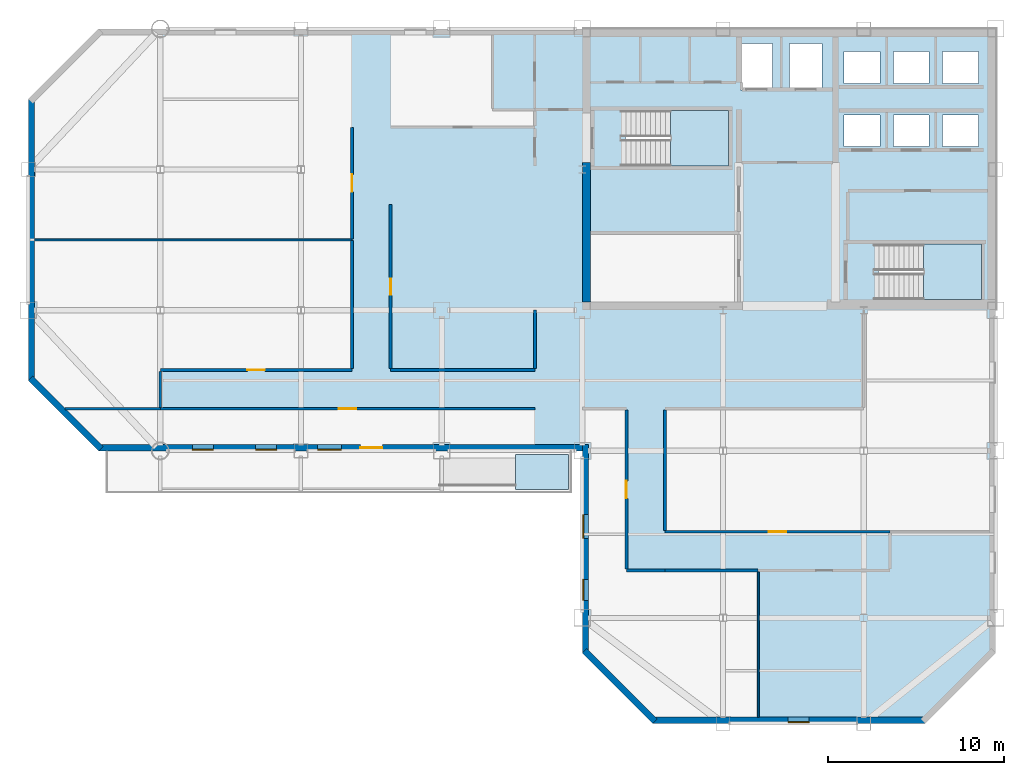
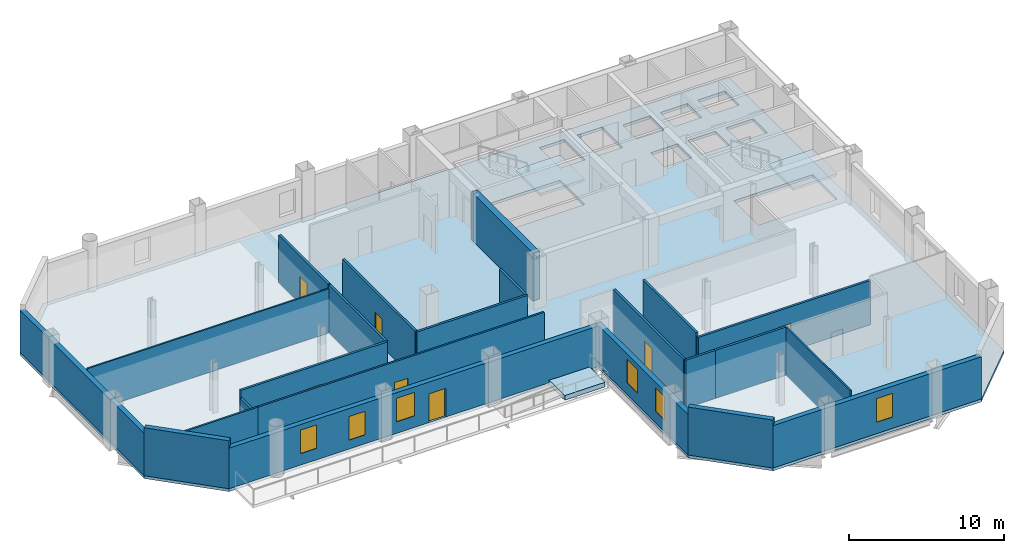
# One storey, part 4 of 10: 23 walls, 7 doors, 6 windows, 4 slabs, 13 openings, 3 elements without a shape of their own.
"""IFC4 building model written with IfcOpenShell, lengths in metres."""

import ifcopenshell
import ifcopenshell.guid

model = None  # the IFC model being written
_history = None  # IfcOwnerHistory: only IFC2X3 demands one
_inside = {}  # id of a spatial element -> (the spatial element, [elements in it])
_under = {}  # id of a project, library or spatial element -> (it, [spatial elements below it])
_declared = {}  # id of a project -> (the project, [libraries it declares])
_typed = {}  # id of a type object -> (the type object, [elements of that type])
_made_of = {}  # id of a material, layer set ... -> (it, [elements and type objects made of it])


def new_model(schema):
    """Start an empty IFC model of exactly this schema.

    Asked for "IFC4X3", IfcOpenShell would pick the latest addendum, in which some entities
    have other attributes; the version numbers below select the first issue.
    IFC2X3 requires an IfcOwnerHistory on every rooted entity: one is made here for all.
    """
    global model, _history
    if schema == "IFC4X3":
        model = ifcopenshell.file(schema_version=(4, 3, 0, 0))
    else:
        model = ifcopenshell.file(schema=schema)
    _inside.clear()
    _under.clear()
    _declared.clear()
    _typed.clear()
    _made_of.clear()
    _history = None
    if model.schema == "IFC2X3":
        org = make("IfcOrganization", Name="unknown")
        user = make(
            "IfcPersonAndOrganization",
            ThePerson=make("IfcPerson", FamilyName="unknown"),
            TheOrganization=org,
        )
        app = make(
            "IfcApplication",
            ApplicationDeveloper=org,
            Version="unknown",
            ApplicationFullName="unknown",
            ApplicationIdentifier="unknown",
        )
        _history = make(
            "IfcOwnerHistory",
            OwningUser=user,
            OwningApplication=app,
            ChangeAction="ADDED",
            CreationDate=0,
        )
    return model


def make(cls, **values):
    """One entity of the class cls with the attributes given. An attribute that is None is left unset."""
    return model.create_entity(
        cls, **{name: value for name, value in values.items() if value is not None}
    )


def rooted(cls, **values):
    """An entity with a GlobalId (a new one), such as an element, a storey or a relation."""
    return make(cls, GlobalId=ifcopenshell.guid.new(), OwnerHistory=_history, **values)


def si_unit(unit_type, name, prefix=None):
    """IfcSIUnit, for example si_unit("LENGTHUNIT", "METRE", prefix="MILLI")."""
    return make("IfcSIUnit", UnitType=unit_type, Prefix=prefix, Name=name)


def assignment(units):
    """IfcUnitAssignment: the units of a project."""
    return None if units is None else make("IfcUnitAssignment", Units=units)


def point(xyz):
    """IfcCartesianPoint."""
    return None if xyz is None else make("IfcCartesianPoint", Coordinates=xyz)


def direction(xyz):
    """IfcDirection."""
    return None if xyz is None else make("IfcDirection", DirectionRatios=xyz)


def frame(location, z_axis=None, x_axis=None):
    """IfcAxis2Placement3D, a coordinate frame: its origin and axes. An axis left out is left unset."""
    return make(
        "IfcAxis2Placement3D",
        Location=point(location),
        Axis=direction(z_axis),
        RefDirection=direction(x_axis),
    )


def frame_2d(location, x_axis=None):
    """IfcAxis2Placement2D, a coordinate frame in the plane: its origin and x axis."""
    return make(
        "IfcAxis2Placement2D", Location=point(location), RefDirection=direction(x_axis)
    )


def origin():
    """The frame at (0, 0, 0) with its axes left unset."""
    return frame((0.0, 0.0, 0.0))


def place(relative_to, where):
    """IfcLocalPlacement: puts the frame where relative to a parent placement (None: the world)."""
    return make(
        "IfcLocalPlacement", PlacementRelTo=relative_to, RelativePlacement=where
    )


def context(
    kind, dimensions, precision=None, world=None, true_north=None, identifier=None
):
    """IfcGeometricRepresentationContext, for example the 3D "Model" context."""
    return make(
        "IfcGeometricRepresentationContext",
        ContextIdentifier=identifier,
        ContextType=kind,
        CoordinateSpaceDimension=dimensions,
        Precision=precision,
        WorldCoordinateSystem=world,
        TrueNorth=true_north,
    )


def subcontext(parent, identifier, kind, view, scale=None):
    """IfcGeometricRepresentationSubContext, for example "Body" below "Model"."""
    return make(
        "IfcGeometricRepresentationSubContext",
        ContextIdentifier=identifier,
        ContextType=kind,
        ParentContext=parent,
        TargetScale=scale,
        TargetView=view,
    )


def project(units=None, contexts=None):
    """IfcProject with its units and contexts."""
    return rooted(
        "IfcProject",
        Name="project",
        RepresentationContexts=contexts,
        UnitsInContext=assignment(units),
    )


def spatial(cls, under=None, at=None, **own):
    """A site, building, storey or space (cls), placed at a placement, below another one or the project."""
    s = rooted(cls, ObjectPlacement=at, **own)
    if under is not None:
        _under.setdefault(under.id(), (under, []))[1].append(s)
    return s


def polyline(points):
    """IfcPolyline through the points."""
    return make("IfcPolyline", Points=[point(p) for p in points])


def profile(cls, at=None, kind="AREA", **sizes):
    """A parametric profile (cls). Its sizes go by their IFC names, for example OverallWidth=200.0."""
    return make(cls, ProfileType=kind, Position=at, **sizes)


def rectangle(**sizes):
    """IfcRectangleProfileDef."""
    return profile("IfcRectangleProfileDef", **sizes)


def outline(outer, holes=None, kind="AREA"):
    """IfcArbitraryClosedProfileDef: a profile drawn as a closed curve; with holes, ...WithVoids."""
    if holes is None:
        return make("IfcArbitraryClosedProfileDef", ProfileType=kind, OuterCurve=outer)
    return make(
        "IfcArbitraryProfileDefWithVoids",
        ProfileType=kind,
        OuterCurve=outer,
        InnerCurves=holes,
    )


def extrude(swept, where, along, depth):
    """IfcExtrudedAreaSolid: the profile swept, set in the frame where, extruded along a direction by depth."""
    return make(
        "IfcExtrudedAreaSolid",
        SweptArea=swept,
        Position=where,
        ExtrudedDirection=direction(along),
        Depth=depth,
    )


def shape(context_of_items, identifier, shape_type, items):
    """IfcShapeRepresentation: the items that make up one representation, for example the "Body"."""
    return make(
        "IfcShapeRepresentation",
        ContextOfItems=context_of_items,
        RepresentationIdentifier=identifier,
        RepresentationType=shape_type,
        Items=items,
    )


def material(Name=None, Category=None):
    """IfcMaterial."""
    return make("IfcMaterial", Name=Name, Category=Category)


def layer(
    of_material, thickness, ventilated=None, Name=None, Category=None, Priority=None
):
    """IfcMaterialLayer: one layer of a wall or slab, of a material (None: an air gap)."""
    return make(
        "IfcMaterialLayer",
        Material=of_material,
        LayerThickness=thickness,
        IsVentilated=ventilated,
        Name=Name,
        Category=Category,
        Priority=Priority,
    )


def layer_set(layers, Name=None):
    """IfcMaterialLayerSet."""
    return make("IfcMaterialLayerSet", MaterialLayers=layers, LayerSetName=Name)


def made_of(thing, what):
    """Note that an element or type object is made of a material, layer set ...; save() writes the relation."""
    if what is not None:
        _made_of.setdefault(what.id(), (what, []))[1].append(thing)
    return thing


def type_object(cls, material=None, **own):
    """A type object (cls), such as IfcWallType, which elements share."""
    return made_of(rooted(cls, **own), material)


def element(
    cls,
    number,
    at=None,
    inside=None,
    cuts=None,
    type_object=None,
    material=None,
    context=None,
    identifier="Body",
    shape_type=None,
    held_by="IfcProductDefinitionShape",
    body=None,
    shapes=None,
    **own,
):
    """One element of the class cls, such as IfcWall. Its Tag is "e" and its number.

    at: its placement. inside: the storey or other place that contains it. cuts: it is an
    opening in that element (IfcRelVoidsElement). A single representation is given by context,
    identifier, shape_type and body (its items); several are given by shapes. held_by: the class
    of the entity that holds the representations. save() writes the other relations.
    """
    e = rooted(cls, Tag="e%d" % number, ObjectPlacement=at, **own)
    if body is not None:
        shapes = [shape(context, identifier, shape_type, body)]
    if shapes is not None:
        e.Representation = make(held_by, Representations=shapes)
    if inside is not None:
        _inside.setdefault(inside.id(), (inside, []))[1].append(e)
    if cuts is not None:
        rooted(
            "IfcRelVoidsElement", RelatingBuildingElement=cuts, RelatedOpeningElement=e
        )
    if type_object is not None:
        _typed.setdefault(type_object.id(), (type_object, []))[1].append(e)
    return made_of(e, material)


def fill(opening, filler):
    """IfcRelFillsElement: the door or window that sits in an opening."""
    return rooted(
        "IfcRelFillsElement",
        RelatingOpeningElement=opening,
        RelatedBuildingElement=filler,
    )


def aggregate(whole, parts):
    """IfcRelAggregates: a whole, such as a stair, and the parts it consists of."""
    return rooted("IfcRelAggregates", RelatingObject=whole, RelatedObjects=parts)


def save(model, path):
    """Write the relations noted so far, then the file.

    IfcRelAggregates (storeys below a building ...), IfcRelContainedInSpatialStructure (elements
    in a storey), IfcRelDefinesByType, IfcRelAssociatesMaterial and IfcRelDeclares: one each for
    every whole, place, type object, material and project.
    """
    for whole, parts in _under.values():
        aggregate(whole, parts)
    for where, things in _inside.values():
        rooted(
            "IfcRelContainedInSpatialStructure",
            RelatedElements=things,
            RelatingStructure=where,
        )
    for kind, things in _typed.values():
        rooted("IfcRelDefinesByType", RelatedObjects=things, RelatingType=kind)
    for what, things in _made_of.values():
        rooted("IfcRelAssociatesMaterial", RelatedObjects=things, RelatingMaterial=what)
    for by, libraries in _declared.values():
        rooted("IfcRelDeclares", RelatingContext=by, RelatedDefinitions=libraries)
    model.write(path)


model = new_model("IFC4")

# Units and contexts
model_context = context("Model", 3, precision=1e-05, world=origin(), true_north=direction((0.0, 1.0)))
body_context = subcontext(model_context, "Body", "Model", "MODEL_VIEW")
ifc_project = project(units=[si_unit("LENGTHUNIT", "METRE"), si_unit("AREAUNIT", "SQUARE_METRE"), si_unit("VOLUMEUNIT", "CUBIC_METRE"), si_unit("PLANEANGLEUNIT", "RADIAN"), si_unit("MASSUNIT", "GRAM", prefix="KILO")], contexts=[model_context])

# Site, building, storey
site_placement = place(None, origin())
site = spatial("IfcSite", under=ifc_project, at=site_placement, CompositionType="ELEMENT")
building_placement = place(site_placement, origin())
building = spatial("IfcBuilding", under=site, at=building_placement, Name="Qianrong Seaharbour Tower", CompositionType="ELEMENT")
storey_placement = place(building_placement, frame((0.0, 0.0, 237.800048828125)))
storey = spatial("IfcBuildingStorey", under=building, at=storey_placement, Name="L57", CompositionType="ELEMENT", Elevation=237.800048828125)

# Ramp, slab
ifc_material_1 = material(Name="White architectural precast concrete C45/55", Category="concrete")
ramp_type = type_object("IfcRampType", Name="RAMP-RIBBON-GARDEN", PredefinedType="STRAIGHT_RUN_RAMP", material=ifc_material_1)
ramp_placement = place(storey_placement, origin())
ramp = element("IfcRamp", 1, at=ramp_placement, inside=storey, type_object=ramp_type, Name="L57 Harbourfront Garden Ribbon Ramp", PredefinedType="STRAIGHT_RUN_RAMP")
ifc_layer_1 = layer(ifc_material_1, 0.360107421875)
ifc_layer_set_1 = layer_set([ifc_layer_1], Name="White architectural precast concrete C45/55")
slab_type_1 = type_object("IfcSlabType", Name="SLAB-RAMP-LANDING-220", PredefinedType="LANDING", material=ifc_layer_set_1)
slab_1_placement = place(storey_placement, origin())
slab_1 = element("IfcSlab", 2, at=slab_1_placement, type_object=slab_type_1, Name="L57 Harbourfront Ribbon Raised Garden Landing", PredefinedType="LANDING", context=body_context, shape_type="SweptSolid", body=[
    extrude(outline(polyline([(36.699951171875, 25.800048828125), (39.699951171875, 25.800048828125), (39.699951171875, 27.800048828125), (36.699951171875, 27.800048828125), (36.699951171875, 25.800048828125)])), origin(), (0.0, 0.0, 1.0), 0.35986328125),
])
aggregate(ramp, [slab_1])

# Stair, slab
ifc_material_2 = material(Name="Concrete C50/60", Category="concrete")
stair_type = type_object("IfcStairType", Name="STAIR-DOGLEG-1500-R22", PredefinedType="HALF_TURN_STAIR", material=ifc_material_2)
stair_1_placement = place(storey_placement, origin())
stair_1 = element("IfcStair", 3, at=stair_1_placement, inside=storey, type_object=stair_type, Name="L57 Protected Escape Stair ST-1", PredefinedType="HALF_TURN_STAIR")
ifc_layer_2 = layer(ifc_material_2, 0.199951171875)
ifc_layer_set_2 = layer_set([ifc_layer_2], Name="Concrete C50/60")
slab_type_2 = type_object("IfcSlabType", Name="SLAB-STAIR-LANDING-200", PredefinedType="LANDING", material=ifc_layer_set_2)
slab_2_placement = place(storey_placement, frame((0.0, 0.0, 1.800048828125)))
slab_2 = element("IfcSlab", 4, at=slab_2_placement, type_object=slab_type_2, Name="ST-1 landing 1", PredefinedType="LANDING", context=body_context, shape_type="SweptSolid", body=[
    extrude(outline(polyline([(45.5, 44.199951171875), (48.800048828125, 44.199951171875), (48.800048828125, 47.35009765625), (45.5, 47.35009765625), (45.5, 44.199951171875)])), origin(), (0.0, 0.0, 1.0), 0.199951171875),
])
aggregate(stair_1, [slab_2])

stair_2_placement = place(storey_placement, origin())
stair_2 = element("IfcStair", 5, at=stair_2_placement, inside=storey, type_object=stair_type, Name="L57 Protected Escape Stair ST-2", PredefinedType="HALF_TURN_STAIR")
slab_3_placement = place(storey_placement, frame((0.0, 0.0, 1.800048828125)))
slab_3 = element("IfcSlab", 6, at=slab_3_placement, type_object=slab_type_2, Name="ST-2 landing 1", PredefinedType="LANDING", context=body_context, shape_type="SweptSolid", body=[
    extrude(outline(polyline([(59.89990234375, 36.60009765625), (63.199951171875, 36.60009765625), (63.199951171875, 39.75), (59.89990234375, 39.75), (59.89990234375, 36.60009765625)])), origin(), (0.0, 0.0, 1.0), 0.199951171875),
])
aggregate(stair_2, [slab_3])

# Slab
ifc_layer_3 = layer(ifc_material_2, 0.22509765625)
ifc_layer_set_3 = layer_set([ifc_layer_3], Name="Concrete C50/60")
slab_type_3 = type_object("IfcSlabType", Name="SLAB-Z3-225", PredefinedType="FLOOR", material=ifc_layer_set_3)
slab_4_placement = place(storey_placement, frame((0.0, 0.0, -0.22509765625)))
element("IfcSlab", 7, at=slab_4_placement, inside=storey, type_object=slab_type_3, Name="L57 Structural Floor Slab", PredefinedType="FLOOR", context=body_context, shape_type="SweptSolid", body=[
    extrude(outline(polyline([(44.5, 12.5), (60.0, 12.5), (64.0, 16.5), (64.0, 52.0), (13.0, 52.0), (9.0, 48.0), (9.0, 32.0), (13.0, 28.0), (40.5, 28.0), (40.5, 16.5), (44.5, 12.5)]), holes=[polyline([(42.93994140625, 44.199951171875), (42.93994140625, 47.35009765625), (48.800048828125, 47.35009765625), (48.800048828125, 44.199951171875), (42.93994140625, 44.199951171875)]), polyline([(57.340087890625, 36.60009765625), (57.340087890625, 39.75), (63.199951171875, 39.75), (63.199951171875, 36.60009765625), (57.340087890625, 36.60009765625)]), polyline([(49.47998046875, 48.530029296875), (49.47998046875, 51.169921875), (51.320068359375, 51.169921875), (51.320068359375, 48.530029296875), (49.47998046875, 48.530029296875)]), polyline([(52.280029296875, 48.530029296875), (52.280029296875, 51.169921875), (54.1201171875, 51.169921875), (54.1201171875, 48.530029296875), (52.280029296875, 48.530029296875)]), polyline([(55.3798828125, 45.300048828125), (55.3798828125, 47.10009765625), (57.419921875, 47.10009765625), (57.419921875, 45.300048828125), (55.3798828125, 45.300048828125)]), polyline([(58.179931640625, 45.300048828125), (58.179931640625, 47.10009765625), (60.219970703125, 47.10009765625), (60.219970703125, 45.300048828125), (58.179931640625, 45.300048828125)]), polyline([(60.97998046875, 45.300048828125), (60.97998046875, 47.10009765625), (63.02001953125, 47.10009765625), (63.02001953125, 45.300048828125), (60.97998046875, 45.300048828125)]), polyline([(55.3798828125, 48.89990234375), (55.3798828125, 50.699951171875), (57.419921875, 50.699951171875), (57.419921875, 48.89990234375), (55.3798828125, 48.89990234375)]), polyline([(58.179931640625, 48.89990234375), (58.179931640625, 50.699951171875), (60.219970703125, 50.699951171875), (60.219970703125, 48.89990234375), (58.179931640625, 48.89990234375)]), polyline([(60.97998046875, 48.89990234375), (60.97998046875, 50.699951171875), (63.02001953125, 50.699951171875), (63.02001953125, 48.89990234375), (60.97998046875, 48.89990234375)])]), origin(), (0.0, 0.0, 1.0), 0.22509765625),
])

# Walls
ifc_material_3 = material(Name="Concrete C60/75", Category="concrete")
ifc_layer_4 = layer(ifc_material_3, 0.4599609375)
ifc_layer_set_4 = layer_set([ifc_layer_4], Name="Concrete C60/75")
wall_type_1 = type_object("IfcWallType", Name="WALL-CORE-460", PredefinedType="SHEAR", material=ifc_layer_set_4)
wall_1_placement = place(storey_placement, frame((40.72998046875, 36.4599609375, 0.0), z_axis=(0.0, 0.0, 1.0), x_axis=(0.0, 1.0, 0.0)))
element("IfcWall", 8, at=wall_1_placement, inside=storey, type_object=wall_type_1, Name="L57 West Core Shear Wall South", PredefinedType="SHEAR", context=body_context, shape_type="SweptSolid", body=[
    extrude(rectangle(XDim=7.93994140625, YDim=0.4599609375, at=frame_2d((3.969970703125, 0.0))), origin(), (0.0, 0.0, 1.0), 3.77490234375),
])
ifc_material_4 = material(Name="Fire-rated acoustic gypsum board partition")
ifc_layer_5 = layer(ifc_material_4, 0.1650390625)
ifc_layer_set_5 = layer_set([ifc_layer_5], Name="Fire-rated acoustic gypsum board partition")
wall_type_2 = type_object("IfcWallType", Name="WALL-CORR-PART-165", PredefinedType="PARTITIONING", material=ifc_layer_set_5)
wall_2_placement = place(storey_placement, frame((16.5, 30.45703125, 0.0), z_axis=(0.0, 0.0, 1.0), x_axis=(0.0, 1.0, 0.0)))
element("IfcWall", 9, at=wall_2_placement, inside=storey, type_object=wall_type_2, Name="L57 Interior Partition Wall 018", PredefinedType="PARTITIONING", context=body_context, shape_type="SweptSolid", body=[
    extrude(rectangle(XDim=2.068359375, YDim=0.1650390625, at=frame_2d((1.0341796875, 0.0))), origin(), (0.0, 0.0, 1.0), 3.178955078125),
])

# Wall, opening, door
wall_3_placement = place(storey_placement, frame((16.5, 32.60009765625, 0.0), z_axis=(0.0, 0.0, 1.0), x_axis=(1.0, 0.0, 0.0)))
wall_3 = element("IfcWall", 10, at=wall_3_placement, inside=storey, type_object=wall_type_2, Name="L57 Interior Partition Wall 019", PredefinedType="PARTITIONING", context=body_context, shape_type="SweptSolid", body=[
    extrude(rectangle(XDim=10.89990234375, YDim=0.1650390625, at=frame_2d((5.449951171875, 0.0))), origin(), (0.0, 0.0, 1.0), 3.77490234375),
])
opening_1_placement = place(wall_3_placement, frame((4.949951171875, 0.0, 0.0)))
opening_1 = element("IfcOpeningElement", 11, at=opening_1_placement, cuts=wall_3, Name="Opening DO-01", PredefinedType="OPENING", context=body_context, shape_type="SweptSolid", body=[
    extrude(rectangle(XDim=1.0, YDim=2.14990234375, at=frame_2d((0.5, 1.074951171875))), frame((0.0, 0.092529296875, 0.0), z_axis=(0.0, -1.0, 0.0), x_axis=(1.0, 0.0, 0.0)), (0.0, 0.0, 1.0), 0.18505859375),
])
ifc_material_5 = material(Name="Acoustic timber and galvanized steel fire door assembly", Category="steel")
door_type_1 = type_object("IfcDoorType", Name="DOOR-OFFICE-1000x2150", OperationType="NOTDEFINED", PredefinedType="DOOR", material=ifc_material_5)
door_1_placement = place(opening_1_placement, origin())
door_1 = element("IfcDoor", 12, at=door_1_placement, inside=storey, type_object=door_type_1, Name="L57 Project Library Door", OperationType="SINGLE_SWING_LEFT", OverallHeight=2.14990234375, OverallWidth=1.0, PredefinedType="DOOR", context=body_context, shape_type="SweptSolid", body=[
    extrude(rectangle(XDim=1.0, YDim=2.14990234375, at=frame_2d((0.5, 1.074951171875))), frame((0.0, 0.02490234375, 0.0), z_axis=(0.0, -1.0, 0.0), x_axis=(1.0, 0.0, 0.0)), (0.0, 0.0, 1.0), 0.050048828125),
])
fill(opening_1, door_1)

# Wall
wall_4_placement = place(storey_placement, frame((29.60009765625, 32.60009765625, 0.0), z_axis=(0.0, 0.0, 1.0), x_axis=(1.0, 0.0, 0.0)))
element("IfcWall", 13, at=wall_4_placement, inside=storey, type_object=wall_type_2, Name="L57 Interior Partition Wall 020", PredefinedType="PARTITIONING", context=body_context, shape_type="SweptSolid", body=[
    extrude(rectangle(XDim=8.199951171875, YDim=0.1650390625, at=frame_2d((4.10009765625, 0.0))), origin(), (0.0, 0.0, 1.0), 3.77490234375),
])

# Wall, opening, door
wall_5_placement = place(storey_placement, frame((27.39990234375, 40.047119140625, 0.0), z_axis=(0.0, 0.0, 1.0), x_axis=(0.0, 1.0, 0.0)))
wall_5 = element("IfcWall", 14, at=wall_5_placement, inside=storey, type_object=wall_type_2, Name="L57 Interior Partition Wall 022", PredefinedType="PARTITIONING", context=body_context, shape_type="SweptSolid", body=[
    extrude(rectangle(XDim=6.352783203125, YDim=0.1650390625, at=frame_2d((3.17626953125, 0.0))), origin(), (0.0, 0.0, 1.0), 3.77490234375),
])
opening_2_placement = place(wall_5_placement, frame((2.676513671875, 0.0, 0.0)))
opening_2 = element("IfcOpeningElement", 15, at=opening_2_placement, cuts=wall_5, Name="Opening DO-01", PredefinedType="OPENING", context=body_context, shape_type="SweptSolid", body=[
    extrude(rectangle(XDim=1.0, YDim=2.14990234375, at=frame_2d((0.5, 1.074951171875))), frame((0.0, 0.092529296875, 0.0), z_axis=(0.0, -1.0, 0.0), x_axis=(1.0, 0.0, 0.0)), (0.0, 0.0, 1.0), 0.18505859375),
])
door_2_placement = place(opening_2_placement, origin())
door_2 = element("IfcDoor", 16, at=door_2_placement, inside=storey, type_object=door_type_1, Name="L57 West Wing Open-Plan Office Door", OperationType="SINGLE_SWING_RIGHT", OverallHeight=2.14990234375, OverallWidth=1.0, PredefinedType="DOOR", context=body_context, shape_type="SweptSolid", body=[
    extrude(rectangle(XDim=1.0, YDim=2.14990234375, at=frame_2d((0.5, 1.074951171875))), frame((0.0, 0.02490234375, 0.0), z_axis=(0.0, -1.0, 0.0), x_axis=(1.0, 0.0, 0.0)), (0.0, 0.0, 1.0), 0.050048828125),
])
fill(opening_2, door_2)

# Wall
wall_6_placement = place(storey_placement, frame((27.39990234375, 32.674560546875, 0.0), z_axis=(0.0, 0.0, 1.0), x_axis=(0.0, 1.0, 0.0)))
element("IfcWall", 17, at=wall_6_placement, inside=storey, type_object=wall_type_2, Name="L57 Interior Partition Wall 023", PredefinedType="PARTITIONING", context=body_context, shape_type="SweptSolid", body=[
    extrude(rectangle(XDim=7.2783203125, YDim=0.1650390625, at=frame_2d((3.63916015625, 0.0))), origin(), (0.0, 0.0, 1.0), 3.77490234375),
])

# Wall, opening, door
wall_7_placement = place(storey_placement, frame((29.60009765625, 42.0, 0.0), z_axis=(0.0, 0.0, 1.0), x_axis=(0.0, -1.0, 0.0)))
wall_7 = element("IfcWall", 18, at=wall_7_placement, inside=storey, type_object=wall_type_2, Name="L57 Interior Partition Wall 024", PredefinedType="PARTITIONING", context=body_context, shape_type="SweptSolid", body=[
    extrude(rectangle(XDim=9.325439453125, YDim=0.1650390625, at=frame_2d((4.66259765625, 0.0))), origin(), (0.0, 0.0, 1.0), 3.77490234375),
])
opening_3_placement = place(wall_7_placement, frame((4.212646484375, 0.0, 0.0)))
opening_3 = element("IfcOpeningElement", 19, at=opening_3_placement, cuts=wall_7, Name="Opening DS-01", PredefinedType="OPENING", context=body_context, shape_type="SweptSolid", body=[
    extrude(rectangle(XDim=0.89990234375, YDim=2.14990234375, at=frame_2d((0.449951171875, 1.074951171875))), frame((0.0, 0.092529296875, 0.0), z_axis=(0.0, -1.0, 0.0), x_axis=(1.0, 0.0, 0.0)), (0.0, 0.0, 1.0), 0.18505859375),
])
door_type_2 = type_object("IfcDoorType", Name="DOOR-STORE-900x2150", OperationType="NOTDEFINED", PredefinedType="DOOR", material=ifc_material_5)
door_3_placement = place(opening_3_placement, origin())
door_3 = element("IfcDoor", 20, at=door_3_placement, inside=storey, type_object=door_type_2, Name="L57 Corporate Archive Room 1 Door", OperationType="SINGLE_SWING_RIGHT", OverallHeight=2.14990234375, OverallWidth=0.89990234375, PredefinedType="DOOR", context=body_context, shape_type="SweptSolid", body=[
    extrude(rectangle(XDim=0.89990234375, YDim=2.14990234375, at=frame_2d((0.449951171875, 1.074951171875))), frame((0.0, 0.02490234375, 0.0), z_axis=(0.0, -1.0, 0.0), x_axis=(1.0, 0.0, 0.0)), (0.0, 0.0, 1.0), 0.050048828125),
])
fill(opening_3, door_3)

# Walls
wall_8_placement = place(storey_placement, frame((37.800048828125, 32.674560546875, 0.0), z_axis=(0.0, 0.0, 1.0), x_axis=(0.0, 1.0, 0.0)))
element("IfcWall", 21, at=wall_8_placement, inside=storey, type_object=wall_type_2, Name="L57 Interior Partition Wall 026", PredefinedType="PARTITIONING", context=body_context, shape_type="SweptSolid", body=[
    extrude(rectangle(XDim=3.325439453125, YDim=0.1650390625, at=frame_2d((1.66259765625, 0.0))), origin(), (0.0, 0.0, 1.0), 3.77490234375),
])
wall_9_placement = place(storey_placement, frame((45.199951171875, 30.325439453125, 0.0), z_axis=(0.0, 0.0, 1.0), x_axis=(0.0, -1.0, 0.0)))
element("IfcWall", 22, at=wall_9_placement, inside=storey, type_object=wall_type_2, Name="L57 Interior Partition Wall 030", PredefinedType="PARTITIONING", context=body_context, shape_type="SweptSolid", body=[
    extrude(rectangle(XDim=6.850830078125, YDim=0.1650390625, at=frame_2d((3.42529296875, 0.0))), origin(), (0.0, 0.0, 1.0), 3.77490234375),
])
wall_10_placement = place(storey_placement, frame((45.199951171875, 21.199951171875, 0.0), z_axis=(0.0, 0.0, 1.0), x_axis=(-1.0, 0.0, 0.0)))
element("IfcWall", 23, at=wall_10_placement, inside=storey, type_object=wall_type_2, Name="L57 Interior Partition Wall 031", PredefinedType="PARTITIONING", context=body_context, shape_type="SweptSolid", body=[
    extrude(rectangle(XDim=2.199951171875, YDim=0.1650390625, at=frame_2d((1.10009765625, 0.0))), origin(), (0.0, 0.0, 1.0), 3.77490234375),
])

# Wall, opening, door
wall_11_placement = place(storey_placement, frame((43.0, 21.2744140625, 0.0), z_axis=(0.0, 0.0, 1.0), x_axis=(0.0, 1.0, 0.0)))
wall_11 = element("IfcWall", 24, at=wall_11_placement, inside=storey, type_object=wall_type_2, Name="L57 Interior Partition Wall 032", PredefinedType="PARTITIONING", context=body_context, shape_type="SweptSolid", body=[
    extrude(rectangle(XDim=9.051025390625, YDim=0.1650390625, at=frame_2d((4.525390625, 0.0))), origin(), (0.0, 0.0, 1.0), 3.77490234375),
])
opening_4_placement = place(wall_11_placement, frame((4.025390625, 0.0, 0.0)))
opening_4 = element("IfcOpeningElement", 25, at=opening_4_placement, cuts=wall_11, Name="Opening DO-01", PredefinedType="OPENING", context=body_context, shape_type="SweptSolid", body=[
    extrude(rectangle(XDim=1.0, YDim=2.14990234375, at=frame_2d((0.5, 1.074951171875))), frame((0.0, 0.092529296875, 0.0), z_axis=(0.0, -1.0, 0.0), x_axis=(1.0, 0.0, 0.0)), (0.0, 0.0, 1.0), 0.18505859375),
])
door_4_placement = place(opening_4_placement, origin())
door_4 = element("IfcDoor", 26, at=door_4_placement, inside=storey, type_object=door_type_1, Name="L57 Harbour Symposium Hall 1 Door", OperationType="SINGLE_SWING_RIGHT", OverallHeight=2.14990234375, OverallWidth=1.0, PredefinedType="DOOR", context=body_context, shape_type="SweptSolid", body=[
    extrude(rectangle(XDim=1.0, YDim=2.14990234375, at=frame_2d((0.5, 1.074951171875))), frame((0.0, 0.02490234375, 0.0), z_axis=(0.0, -1.0, 0.0), x_axis=(1.0, 0.0, 0.0)), (0.0, 0.0, 1.0), 0.050048828125),
])
fill(opening_4, door_4)

wall_12_placement = place(storey_placement, frame((45.199951171875, 23.39990234375, 0.0), z_axis=(0.0, 0.0, 1.0), x_axis=(1.0, 0.0, 0.0)))
wall_12 = element("IfcWall", 27, at=wall_12_placement, inside=storey, type_object=wall_type_2, Name="L57 Interior Partition Wall 033", PredefinedType="PARTITIONING", context=body_context, shape_type="SweptSolid", body=[
    extrude(rectangle(XDim=12.800048828125, YDim=0.1650390625, at=frame_2d((6.39990234375, 0.0))), origin(), (0.0, 0.0, 1.0), 3.467041015625),
])
opening_5_placement = place(wall_12_placement, frame((5.89990234375, 0.0, 0.0)))
opening_5 = element("IfcOpeningElement", 28, at=opening_5_placement, cuts=wall_12, Name="Opening DO-01", PredefinedType="OPENING", context=body_context, shape_type="SweptSolid", body=[
    extrude(rectangle(XDim=1.0, YDim=2.14990234375, at=frame_2d((0.5, 1.074951171875))), frame((0.0, 0.092529296875, 0.0), z_axis=(0.0, -1.0, 0.0), x_axis=(1.0, 0.0, 0.0)), (0.0, 0.0, 1.0), 0.18505859375),
])
door_5_placement = place(opening_5_placement, origin())
door_5 = element("IfcDoor", 29, at=door_5_placement, inside=storey, type_object=door_type_1, Name="L57 Staff Club Assembly Hall Door", OperationType="SINGLE_SWING_RIGHT", OverallHeight=2.14990234375, OverallWidth=1.0, PredefinedType="DOOR", context=body_context, shape_type="SweptSolid", body=[
    extrude(rectangle(XDim=1.0, YDim=2.14990234375, at=frame_2d((0.5, 1.074951171875))), frame((0.0, 0.02490234375, 0.0), z_axis=(0.0, -1.0, 0.0), x_axis=(1.0, 0.0, 0.0)), (0.0, 0.0, 1.0), 0.050048828125),
])
fill(opening_5, door_5)

# Walls
wall_13_placement = place(storey_placement, frame((50.5, 21.199951171875, 0.0), z_axis=(0.0, 0.0, 1.0), x_axis=(-1.0, 0.0, 0.0)))
element("IfcWall", 30, at=wall_13_placement, inside=storey, type_object=wall_type_2, Name="L57 Interior Partition Wall 034", PredefinedType="PARTITIONING", context=body_context, shape_type="SweptSolid", body=[
    extrude(rectangle(XDim=5.300048828125, YDim=0.1650390625, at=frame_2d((2.64990234375, 0.0))), origin(), (0.0, 0.0, 1.0), 3.77490234375),
])
ifc_material_6 = material(Name="Demountable aluminium-framed acoustic office partition", Category="aluminium")
ifc_layer_6 = layer(ifc_material_6, 0.110107421875)
ifc_layer_set_6 = layer_set([ifc_layer_6], Name="Demountable aluminium-framed acoustic office partition")
wall_type_3 = type_object("IfcWallType", Name="WALL-DEMOUNT-110", PredefinedType="MOVABLE", material=ifc_layer_set_6)
wall_14_placement = place(storey_placement, frame((27.39990234375, 40.0, 0.0), z_axis=(0.0, 0.0, 1.0), x_axis=(-1.0, 0.0, 0.0)))
element("IfcWall", 31, at=wall_14_placement, inside=storey, type_object=wall_type_3, Name="L57 Interior Partition Wall 037", PredefinedType="MOVABLE", context=body_context, shape_type="SweptSolid", body=[
    extrude(rectangle(XDim=18.0478515625, YDim=0.110107421875, at=frame_2d((9.02392578125, 0.0))), origin(), (0.0, 0.0, 1.0), 3.467041015625),
])
wall_15_placement = place(storey_placement, frame((50.5, 21.12548828125, 0.0), z_axis=(0.0, 0.0, 1.0), x_axis=(0.0, -1.0, 0.0)))
element("IfcWall", 32, at=wall_15_placement, inside=storey, type_object=wall_type_3, Name="L57 Interior Partition Wall 040", PredefinedType="MOVABLE", context=body_context, shape_type="SweptSolid", body=[
    extrude(rectangle(XDim=8.2734375, YDim=0.110107421875, at=frame_2d((4.13671875, 0.0))), origin(), (0.0, 0.0, 1.0), 3.77490234375),
])

# Wall, openings, windows
ifc_material_7 = material(Name="Unitised red brick on Precast concrete C45/55", Category="masonry")
ifc_layer_7 = layer(ifc_material_7, 0.360107421875)
ifc_layer_set_7 = layer_set([ifc_layer_7], Name="Unitised red brick on Precast concrete C45/55")
wall_type_4 = type_object("IfcWallType", Name="WALL-EXT-BRICK-RED-360", PredefinedType="SOLIDWALL", material=ifc_layer_set_7)
wall_16_placement = place(storey_placement, frame((40.679931640625, 16.5, 0.0), z_axis=(0.0, 0.0, 1.0), x_axis=(0.0, 1.0, 0.0)))
wall_16 = element("IfcWall", 33, at=wall_16_placement, inside=storey, type_object=wall_type_4, Name="L57 Exterior Masonry Facade Wall REENTRANT_WEST", PredefinedType="SOLIDWALL", context=body_context, shape_type="SweptSolid", body=[
    extrude(rectangle(XDim=11.860107421875, YDim=0.360107421875, at=frame_2d((5.93017578125, 0.0))), origin(), (0.0, 0.0, 1.0), 3.18701171875),
])
opening_6_placement = place(wall_16_placement, frame((3.0, 0.0, 0.89990234375)))
opening_6 = element("IfcOpeningElement", 34, at=opening_6_placement, cuts=wall_16, Name="Opening WN-01", PredefinedType="OPENING", context=body_context, shape_type="SweptSolid", body=[
    extrude(rectangle(XDim=1.199951171875, YDim=1.85009765625, at=frame_2d((0.60009765625, 0.925048828125))), frame((0.0, 0.18994140625, 0.0), z_axis=(0.0, -1.0, 0.0), x_axis=(1.0, 0.0, 0.0)), (0.0, 0.0, 1.0), 0.380126953125),
])
opening_7_placement = place(wall_16_placement, frame((6.52490234375, 0.0, 0.89990234375)))
opening_7 = element("IfcOpeningElement", 35, at=opening_7_placement, cuts=wall_16, Name="Opening WN-02", PredefinedType="OPENING", context=body_context, shape_type="SweptSolid", body=[
    extrude(rectangle(XDim=1.35009765625, YDim=1.85009765625, at=frame_2d((0.675048828125, 0.925048828125))), frame((0.0, 0.18994140625, 0.0), z_axis=(0.0, -1.0, 0.0), x_axis=(1.0, 0.0, 0.0)), (0.0, 0.0, 1.0), 0.380126953125),
])
ifc_material_8 = material(Name="Insulated low-e double glazing in thermally broken aluminium 6063-T6 frame", Category="aluminium")
window_type_1 = type_object("IfcWindowType", Name="WIN-PUNCH-1200x1850", PartitioningType="DOUBLE_PANEL_VERTICAL", PredefinedType="WINDOW", material=ifc_material_8)
window_1_placement = place(opening_6_placement, origin())
window_1 = element("IfcWindow", 36, at=window_1_placement, inside=storey, type_object=window_type_1, Name="L57 Deep-Set Punched Window 00.01", OverallHeight=1.85009765625, OverallWidth=1.199951171875, PartitioningType="DOUBLE_PANEL_VERTICAL", PredefinedType="WINDOW", context=body_context, shape_type="SweptSolid", body=[
    extrude(rectangle(XDim=1.199951171875, YDim=1.85009765625, at=frame_2d((0.60009765625, 0.925048828125))), frame((0.0, 0.150146484375, 0.0), z_axis=(0.0, -1.0, 0.0), x_axis=(1.0, 0.0, 0.0)), (0.0, 0.0, 1.0), 0.06005859375),
])
fill(opening_6, window_1)
window_type_2 = type_object("IfcWindowType", Name="WIN-PUNCH-1350x1850", PartitioningType="DOUBLE_PANEL_VERTICAL", PredefinedType="WINDOW", material=ifc_material_8)
window_2_placement = place(opening_7_placement, origin())
window_2 = element("IfcWindow", 37, at=window_2_placement, inside=storey, type_object=window_type_2, Name="L57 Deep-Set Punched Window 00.02", OverallHeight=1.85009765625, OverallWidth=1.35009765625, PartitioningType="DOUBLE_PANEL_VERTICAL", PredefinedType="WINDOW", context=body_context, shape_type="SweptSolid", body=[
    extrude(rectangle(XDim=1.35009765625, YDim=1.85009765625, at=frame_2d((0.675048828125, 0.925048828125))), frame((0.0, 0.150146484375, 0.0), z_axis=(0.0, -1.0, 0.0), x_axis=(1.0, 0.0, 0.0)), (0.0, 0.0, 1.0), 0.06005859375),
])
fill(opening_7, window_2)

# Wall, openings, door, windows
wall_17_placement = place(storey_placement, frame((40.52001953125, 28.179931640625, 0.0), z_axis=(0.0, 0.0, 1.0), x_axis=(-1.0, 0.0, 0.0)))
wall_17 = element("IfcWall", 38, at=wall_17_placement, inside=storey, type_object=wall_type_4, Name="L57 Exterior Masonry Facade Wall HARBOUR_RIBBON", PredefinedType="SOLIDWALL", context=body_context, shape_type="SweptSolid", body=[
    extrude(rectangle(XDim=27.52001953125, YDim=0.360107421875, at=frame_2d((13.760009765625, 0.0))), origin(), (0.0, 0.0, 1.0), 3.18701171875),
])
opening_8_placement = place(wall_17_placement, frame((13.72509765625, 0.0, 0.89990234375)))
opening_8 = element("IfcOpeningElement", 39, at=opening_8_placement, cuts=wall_17, Name="Opening WN-02", PredefinedType="OPENING", context=body_context, shape_type="SweptSolid", body=[
    extrude(rectangle(XDim=1.35009765625, YDim=1.85009765625, at=frame_2d((0.675048828125, 0.925048828125))), frame((0.0, 0.18994140625, 0.0), z_axis=(0.0, -1.0, 0.0), x_axis=(1.0, 0.0, 0.0)), (0.0, 0.0, 1.0), 0.380126953125),
])
opening_9_placement = place(wall_17_placement, frame((17.39990234375, 0.0, 0.699951171875)))
opening_9 = element("IfcOpeningElement", 40, at=opening_9_placement, cuts=wall_17, Name="Opening WN-01", PredefinedType="OPENING", context=body_context, shape_type="SweptSolid", body=[
    extrude(rectangle(XDim=1.199951171875, YDim=1.85009765625, at=frame_2d((0.60009765625, 0.925048828125))), frame((0.0, 0.18994140625, 0.0), z_axis=(0.0, -1.0, 0.0), x_axis=(1.0, 0.0, 0.0)), (0.0, 0.0, 1.0), 0.380126953125),
])
opening_10_placement = place(wall_17_placement, frame((21.0, 0.0, 0.89990234375)))
opening_10 = element("IfcOpeningElement", 41, at=opening_10_placement, cuts=wall_17, Name="Opening WN-01", PredefinedType="OPENING", context=body_context, shape_type="SweptSolid", body=[
    extrude(rectangle(XDim=1.199951171875, YDim=1.85009765625, at=frame_2d((0.60009765625, 0.925048828125))), frame((0.0, 0.18994140625, 0.0), z_axis=(0.0, -1.0, 0.0), x_axis=(1.0, 0.0, 0.0)), (0.0, 0.0, 1.0), 0.380126953125),
])
opening_11_placement = place(wall_17_placement, frame((11.39501953125, 0.0, 0.0)))
opening_11 = element("IfcOpeningElement", 42, at=opening_11_placement, cuts=wall_17, Name="Opening D-TER1", PredefinedType="OPENING", context=body_context, shape_type="SweptSolid", body=[
    extrude(rectangle(XDim=1.25, YDim=2.25, at=frame_2d((0.625, 1.125))), frame((0.0, 0.18994140625, 0.0), z_axis=(0.0, -1.0, 0.0), x_axis=(1.0, 0.0, 0.0)), (0.0, 0.0, 1.0), 0.380126953125),
])
ifc_material_9 = material(Name="Insulated galvanized steel and laminated glass door assembly", Category="steel")
door_type_3 = type_object("IfcDoorType", Name="DOOR-EXT-TERRACE-1250x2250", OperationType="NOTDEFINED", PredefinedType="DOOR", material=ifc_material_9)
door_6_placement = place(opening_11_placement, origin())
door_6 = element("IfcDoor", 43, at=door_6_placement, inside=storey, type_object=door_type_3, Name="L57 Harbourfront Ribbon Gallery Access Door", OperationType="SINGLE_SWING_RIGHT", OverallHeight=2.25, OverallWidth=1.25, PredefinedType="DOOR", context=body_context, shape_type="SweptSolid", body=[
    extrude(rectangle(XDim=1.25, YDim=2.25, at=frame_2d((0.625, 1.125))), frame((0.0, 0.02490234375, 0.0), z_axis=(0.0, -1.0, 0.0), x_axis=(1.0, 0.0, 0.0)), (0.0, 0.0, 1.0), 0.050048828125),
])
fill(opening_11, door_6)
window_3_placement = place(opening_9_placement, origin())
window_3 = element("IfcWindow", 44, at=window_3_placement, inside=storey, type_object=window_type_1, Name="L57 Deep-Set Punched Window 01.05", OverallHeight=1.85009765625, OverallWidth=1.199951171875, PartitioningType="DOUBLE_PANEL_VERTICAL", PredefinedType="WINDOW", context=body_context, shape_type="SweptSolid", body=[
    extrude(rectangle(XDim=1.199951171875, YDim=1.85009765625, at=frame_2d((0.60009765625, 0.925048828125))), frame((0.0, 0.150146484375, 0.0), z_axis=(0.0, -1.0, 0.0), x_axis=(1.0, 0.0, 0.0)), (0.0, 0.0, 1.0), 0.06005859375),
])
fill(opening_9, window_3)
window_4_placement = place(opening_10_placement, origin())
window_4 = element("IfcWindow", 45, at=window_4_placement, inside=storey, type_object=window_type_1, Name="L57 Deep-Set Punched Window 01.06", OverallHeight=1.85009765625, OverallWidth=1.199951171875, PartitioningType="DOUBLE_PANEL_VERTICAL", PredefinedType="WINDOW", context=body_context, shape_type="SweptSolid", body=[
    extrude(rectangle(XDim=1.199951171875, YDim=1.85009765625, at=frame_2d((0.60009765625, 0.925048828125))), frame((0.0, 0.150146484375, 0.0), z_axis=(0.0, -1.0, 0.0), x_axis=(1.0, 0.0, 0.0)), (0.0, 0.0, 1.0), 0.06005859375),
])
fill(opening_10, window_4)
window_5_placement = place(opening_8_placement, origin())
window_5 = element("IfcWindow", 46, at=window_5_placement, inside=storey, type_object=window_type_2, Name="L57 Deep-Set Punched Window 01.04", OverallHeight=1.85009765625, OverallWidth=1.35009765625, PartitioningType="DOUBLE_PANEL_VERTICAL", PredefinedType="WINDOW", context=body_context, shape_type="SweptSolid", body=[
    extrude(rectangle(XDim=1.35009765625, YDim=1.85009765625, at=frame_2d((0.675048828125, 0.925048828125))), frame((0.0, 0.150146484375, 0.0), z_axis=(0.0, -1.0, 0.0), x_axis=(1.0, 0.0, 0.0)), (0.0, 0.0, 1.0), 0.06005859375),
])
fill(opening_8, window_5)

# Walls
wall_18_placement = place(storey_placement, frame((13.127197265625, 28.127197265625, 0.0), z_axis=(0.0, 0.0, 1.0), x_axis=(-0.707106781187, 0.707106781187, 0.0)))
element("IfcWall", 47, at=wall_18_placement, inside=storey, type_object=wall_type_4, Name="L57 Exterior Masonry Facade Wall E02", PredefinedType="SOLIDWALL", context=body_context, shape_type="SweptSolid", body=[
    extrude(rectangle(XDim=5.65673828125, YDim=0.360107421875, at=frame_2d((2.828369140625, 0.0))), origin(), (0.0, 0.0, 1.0), 3.77490234375),
])
wall_19_placement = place(storey_placement, frame((9.179931640625, 32.0, 0.0), z_axis=(0.0, 0.0, 1.0), x_axis=(0.0, 1.0, 0.0)))
element("IfcWall", 48, at=wall_19_placement, inside=storey, type_object=wall_type_4, Name="L57 Exterior Masonry Facade Wall WEST_TIP", PredefinedType="SOLIDWALL", context=body_context, shape_type="SweptSolid", body=[
    extrude(rectangle(XDim=16.0, YDim=0.360107421875, at=frame_2d((8.0, 0.0))), origin(), (0.0, 0.0, 1.0), 3.324951171875),
])

# Wall, opening, window
wall_20_placement = place(storey_placement, frame((60.0, 12.679931640625, 0.0), z_axis=(0.0, 0.0, 1.0), x_axis=(-1.0, 0.0, 0.0)))
wall_20 = element("IfcWall", 49, at=wall_20_placement, inside=storey, type_object=wall_type_4, Name="L57 Exterior Masonry Facade Wall SOUTH_TIP", PredefinedType="SOLIDWALL", context=body_context, shape_type="SweptSolid", body=[
    extrude(rectangle(XDim=15.5, YDim=0.360107421875, at=frame_2d((7.75, 0.0))), origin(), (0.0, 0.0, 1.0), 3.324951171875),
])
opening_12_placement = place(wall_20_placement, frame((6.60009765625, 0.0, 0.89990234375)))
opening_12 = element("IfcOpeningElement", 50, at=opening_12_placement, cuts=wall_20, Name="Opening WN-01", PredefinedType="OPENING", context=body_context, shape_type="SweptSolid", body=[
    extrude(rectangle(XDim=1.199951171875, YDim=1.85009765625, at=frame_2d((0.60009765625, 0.925048828125))), frame((0.0, 0.18994140625, 0.0), z_axis=(0.0, -1.0, 0.0), x_axis=(1.0, 0.0, 0.0)), (0.0, 0.0, 1.0), 0.380126953125),
])
window_6_placement = place(opening_12_placement, origin())
window_6 = element("IfcWindow", 51, at=window_6_placement, inside=storey, type_object=window_type_1, Name="L57 Deep-Set Punched Window 08.02", OverallHeight=1.85009765625, OverallWidth=1.199951171875, PartitioningType="DOUBLE_PANEL_VERTICAL", PredefinedType="WINDOW", context=body_context, shape_type="SweptSolid", body=[
    extrude(rectangle(XDim=1.199951171875, YDim=1.85009765625, at=frame_2d((0.60009765625, 0.925048828125))), frame((0.0, 0.150146484375, 0.0), z_axis=(0.0, -1.0, 0.0), x_axis=(1.0, 0.0, 0.0)), (0.0, 0.0, 1.0), 0.06005859375),
])
fill(opening_12, window_6)

# Wall
wall_21_placement = place(storey_placement, frame((44.627197265625, 12.627197265625, 0.0), z_axis=(0.0, 0.0, 1.0), x_axis=(-0.707106781187, 0.707106781187, 0.0)))
element("IfcWall", 52, at=wall_21_placement, inside=storey, type_object=wall_type_4, Name="L57 Exterior Masonry Facade Wall E09", PredefinedType="SOLIDWALL", context=body_context, shape_type="SweptSolid", body=[
    extrude(rectangle(XDim=5.65673828125, YDim=0.360107421875, at=frame_2d((2.828369140625, 0.0))), origin(), (0.0, 0.0, 1.0), 3.77490234375),
])

# Wall, opening, door
ifc_material_10 = material(Name="Water-resistant cement board sanitary partition")
ifc_layer_8 = layer(ifc_material_10, 0.1298828125)
ifc_layer_set_8 = layer_set([ifc_layer_8], Name="Water-resistant cement board sanitary partition")
wall_type_5 = type_object("IfcWallType", Name="WALL-WET-PART-130", PredefinedType="PARTITIONING", material=ifc_layer_set_8)
wall_22_placement = place(storey_placement, frame((37.800048828125, 30.39990234375, 0.0), z_axis=(0.0, 0.0, 1.0), x_axis=(-1.0, 0.0, 0.0)))
wall_22 = element("IfcWall", 53, at=wall_22_placement, inside=storey, type_object=wall_type_5, Name="L57 Interior Partition Wall 021", PredefinedType="PARTITIONING", context=body_context, shape_type="SweptSolid", body=[
    extrude(rectangle(XDim=21.300048828125, YDim=0.1298828125, at=frame_2d((10.64990234375, 0.0))), origin(), (0.0, 0.0, 1.0), 3.77490234375),
])
opening_13_placement = place(wall_22_placement, frame((10.14990234375, 0.0, 0.0)))
opening_13 = element("IfcOpeningElement", 54, at=opening_13_placement, cuts=wall_22, Name="Opening DO-01", PredefinedType="OPENING", context=body_context, shape_type="SweptSolid", body=[
    extrude(rectangle(XDim=1.0, YDim=2.14990234375, at=frame_2d((0.5, 1.074951171875))), frame((0.0, 0.074951171875, 0.0), z_axis=(0.0, -1.0, 0.0), x_axis=(1.0, 0.0, 0.0)), (0.0, 0.0, 1.0), 0.14990234375),
])
door_7_placement = place(opening_13_placement, origin())
door_7 = element("IfcDoor", 55, at=door_7_placement, inside=storey, type_object=door_type_1, Name="L57 Wet Pantry Door", OperationType="SINGLE_SWING_LEFT", OverallHeight=2.14990234375, OverallWidth=1.0, PredefinedType="DOOR", context=body_context, shape_type="SweptSolid", body=[
    extrude(rectangle(XDim=1.0, YDim=2.14990234375, at=frame_2d((0.5, 1.074951171875))), frame((0.0, 0.02490234375, 0.0), z_axis=(0.0, -1.0, 0.0), x_axis=(1.0, 0.0, 0.0)), (0.0, 0.0, 1.0), 0.050048828125),
])
fill(opening_13, door_7)

# Wall
wall_23_placement = place(storey_placement, frame((16.5, 30.39990234375, 0.0), z_axis=(0.0, 0.0, 1.0), x_axis=(-1.0, 0.0, 0.0)))
element("IfcWall", 56, at=wall_23_placement, inside=storey, type_object=wall_type_5, Name="L57 Interior Partition Wall 038", PredefinedType="PARTITIONING", context=body_context, shape_type="SweptSolid", body=[
    extrude(rectangle(XDim=5.402099609375, YDim=0.1298828125, at=frame_2d((2.701171875, 0.0))), origin(), (0.0, 0.0, 1.0), 3.77490234375),
])

save(model, "model.ifc")
